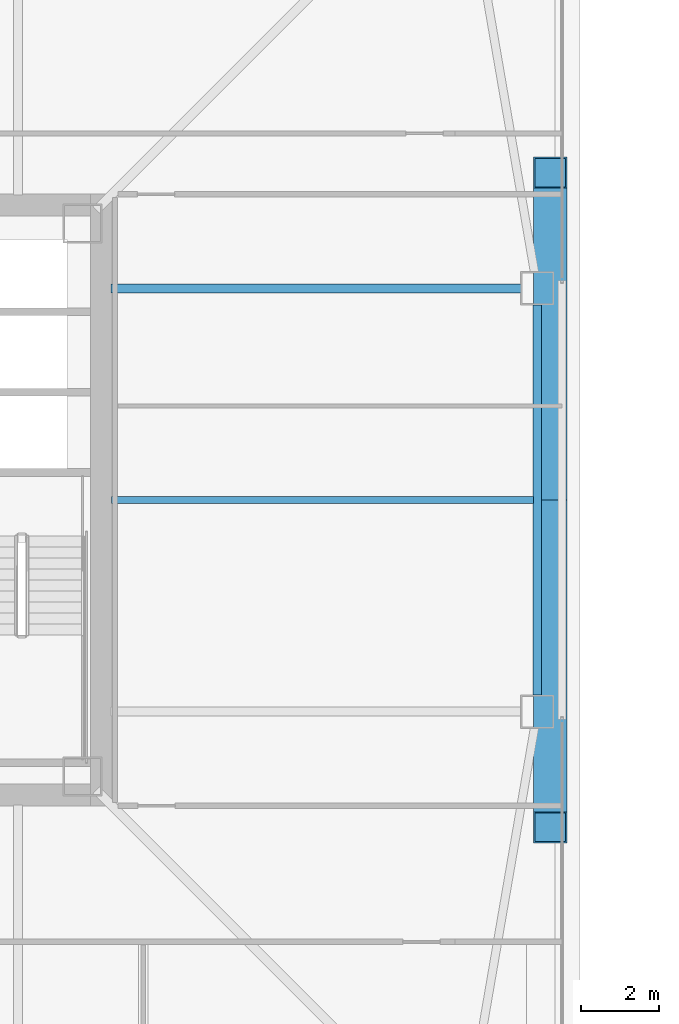
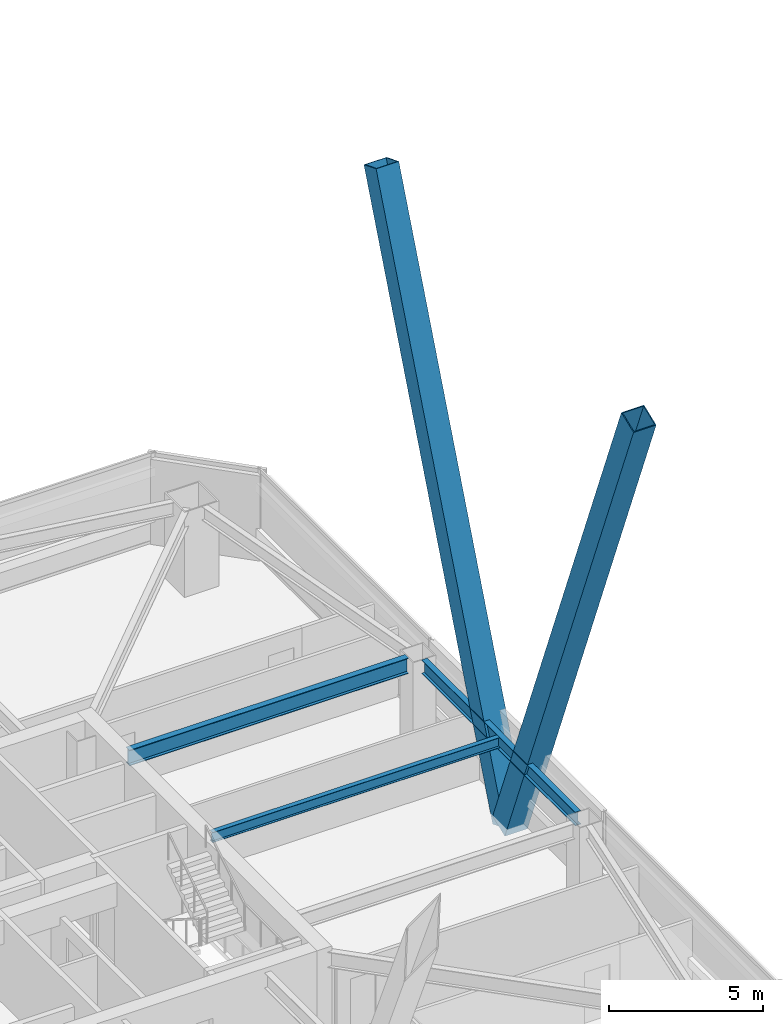
# One storey, part 12 of 50: 3 beams, 2 members.
"""IFC4 building model written with IfcOpenShell, lengths in metres."""

from ifc_helpers import new_model, si_unit, direction, frame, origin, origin_2d, place, context, subcontext, project, spatial, hollow_rectangle, i_section, extrude, material, material_profile, profile_set, type_object, element, save


model = new_model("IFC4")

# Units and contexts
model_context = context("Model", 3, precision=1e-05, world=origin(), true_north=direction((0.0, 1.0)))
body_context = subcontext(model_context, "Body", "Model", "MODEL_VIEW")
ifc_project = project(units=[si_unit("LENGTHUNIT", "METRE"), si_unit("AREAUNIT", "SQUARE_METRE"), si_unit("VOLUMEUNIT", "CUBIC_METRE"), si_unit("PLANEANGLEUNIT", "RADIAN"), si_unit("MASSUNIT", "GRAM", prefix="KILO")], contexts=[model_context])

# Site, building, storey
site_placement = place(None, origin())
site = spatial("IfcSite", under=ifc_project, at=site_placement, CompositionType="ELEMENT")
building_placement = place(site_placement, origin())
building = spatial("IfcBuilding", under=site, at=building_placement, Name="Tashvorn Skyway Center", CompositionType="ELEMENT")
storey_placement = place(building_placement, frame((0.0, 0.0, 114.39990234375)))
storey = spatial("IfcBuildingStorey", under=building, at=storey_placement, Name="L30", CompositionType="ELEMENT", Elevation=114.39990234375)

# Beams
ifc_material_1 = material(Name="Steel ASTM A992 Grade 50", Category="steel")
ifc_material_profile_1 = material_profile(ifc_material_1, i_section(OverallWidth=0.22998046875, OverallDepth=0.616943359375, WebThickness=0.01318359375, FlangeThickness=0.022216796875, at=origin_2d()), Name="W24X94")
ifc_profile_set_1 = profile_set([ifc_material_profile_1], Name="Steel ASTM A992 Grade 50")
beam_type_1 = type_object("IfcBeamType", Name="BM-BEAM-W24X94", PredefinedType="BEAM", material=ifc_profile_set_1)
beam_1_placement = place(storey_placement, frame((60.22998046875, 37.39990234375, 3.0615234375), z_axis=(-1.0, 0.0, 0.0), x_axis=(0.0, -1.0, 0.0)))
element("IfcBeam", 1, at=beam_1_placement, inside=storey, type_object=beam_type_1, Name="Tower 1 L30 Primary Floor Girder FC-E2", PredefinedType="BEAM", context=body_context, shape_type="SweptSolid", body=[
    extrude(i_section(OverallWidth=0.22998046875, OverallDepth=0.616943359375, WebThickness=0.01318359375, FlangeThickness=0.022216796875, at=origin_2d()), origin(), (0.0, 0.0, 1.0), 10.449951171875),
])
ifc_material_profile_2 = material_profile(ifc_material_1, i_section(OverallWidth=0.177978515625, OverallDepth=0.406005859375, WebThickness=0.0078125, FlangeThickness=0.0126953125, at=origin_2d()), Name="W16X40")
ifc_profile_set_2 = profile_set([ifc_material_profile_2], Name="Steel ASTM A992 Grade 50")
beam_type_2 = type_object("IfcBeamType", Name="BM-JOIST-W16X40", PredefinedType="JOIST", material=ifc_profile_set_2)
beam_2_placement = place(storey_placement, frame((49.7900390625, 32.0, 3.1669921875), z_axis=(1.0, 0.0, 0.0), x_axis=(0.0, 1.0, 0.0)))
element("IfcBeam", 2, at=beam_2_placement, inside=storey, type_object=beam_type_2, Name="Tower 1 L30 Secondary Composite Joist JE", PredefinedType="JOIST", context=body_context, shape_type="SweptSolid", body=[
    extrude(i_section(OverallWidth=0.177978515625, OverallDepth=0.406005859375, WebThickness=0.0078125, FlangeThickness=0.0126953125, at=origin_2d()), origin(), (0.0, 0.0, 1.0), 10.762451171875),
])
ifc_material_profile_3 = material_profile(ifc_material_1, i_section(OverallWidth=0.2109375, OverallDepth=0.5390625, WebThickness=0.01171875, FlangeThickness=0.018798828125, at=origin_2d()), Name="W21X73")
ifc_profile_set_3 = profile_set([ifc_material_profile_3], Name="Steel ASTM A992 Grade 50")
beam_type_3 = type_object("IfcBeamType", Name="BM-SPANDREL-W21X73", PredefinedType="SPANDREL", material=ifc_profile_set_3)
beam_3_placement = place(storey_placement, frame((60.64990234375, 27.02001953125, 3.1005859375), z_axis=(0.0, 1.0, 0.0), x_axis=(-1.0, 0.0, 0.0)))
element("IfcBeam", 3, at=beam_3_placement, inside=storey, type_object=beam_type_3, Name="Tower 1 L30 Spandrel Beam 05", PredefinedType="SPANDREL", context=body_context, shape_type="SweptSolid", body=[
    extrude(i_section(OverallWidth=0.2109375, OverallDepth=0.5390625, WebThickness=0.01171875, FlangeThickness=0.018798828125, at=origin_2d()), origin(), (0.0, 0.0, 1.0), 9.9599609375),
])

# Members
ifc_material_2 = material(Name="Steel ASTM A572 Grade 50", Category="steel")
ifc_material_profile_4 = material_profile(ifc_material_2, hollow_rectangle(XDim=0.85009765625, YDim=0.85009765625, WallThickness=0.034912109375, at=origin_2d()), Name="BOX850x850x35")
ifc_profile_set_4 = profile_set([ifc_material_profile_4], Name="Steel ASTM A572 Grade 50")
member_type = type_object("IfcMemberType", Name="MEM-MB-850", PredefinedType="BRACE", material=ifc_profile_set_4)
for number, where, z_axis, x_axis, name in (
    (4, (60.97998046875, 32.0, -0.199951171875), (0.0, -0.368727390038, 0.929537579571), (1.0, 0.0, 0.0), "Tower 1 Zone 3 E Chevron Mega-Brace L1"),
    (5, (60.97998046875, 32.0, -0.199951171875), (0.0, 0.368727390038, 0.929537579571), (-1.0, 0.0, 0.0), "Tower 1 Zone 3 E Chevron Mega-Brace R1"),
):
    element("IfcMember", number, at=place(storey_placement, frame(where, z_axis=z_axis, x_axis=x_axis)), inside=storey, type_object=member_type, Name=name, PredefinedType="BRACE", context=body_context, shape_type="SweptSolid", body=[
        extrude(hollow_rectangle(XDim=0.85009765625, YDim=0.85009765625, WallThickness=0.034912109375, at=origin_2d()), origin(), (0.0, 0.0, 1.0), 22.645751953125),
    ])

save(model, "model.ifc")
